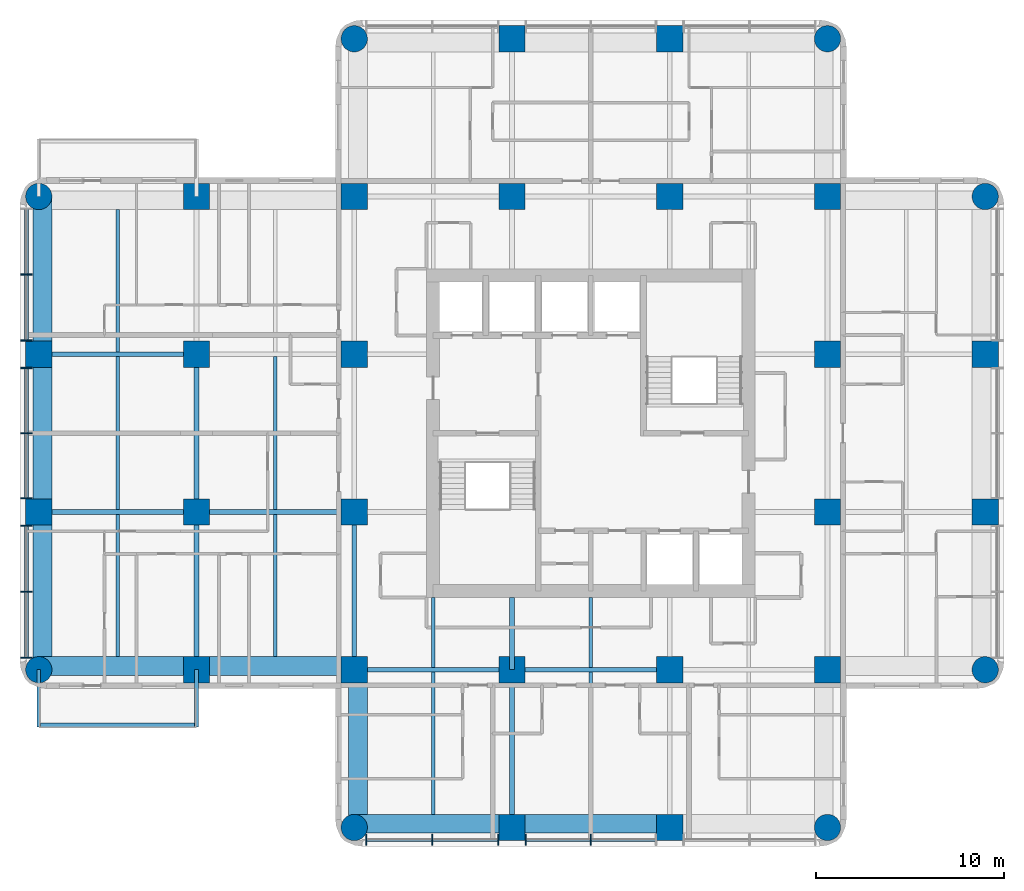
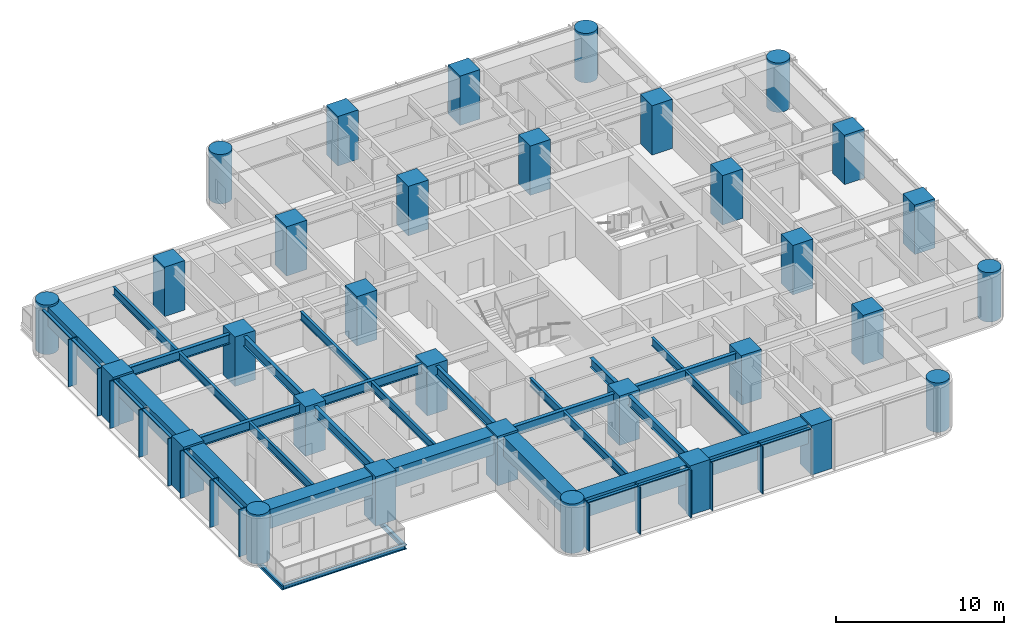
# One storey, part 1 of 11: 32 columns, 30 beams, 23 members, 2 elements without a shape of their own.
"""IFC4 building model written with IfcOpenShell, lengths in metres."""

from ifc_helpers import new_model, si_unit, direction, frame, origin, origin_2d, place, context, subcontext, project, spatial, rectangle, circle, i_section, extrude, material, material_profile, profile_set, type_object, element, aggregate, save


model = new_model("IFC4")

# Units and contexts
model_context = context("Model", 3, precision=1e-05, world=origin(), true_north=direction((0.0, 1.0)))
body_context = subcontext(model_context, "Body", "Model", "MODEL_VIEW")
ifc_project = project(units=[si_unit("LENGTHUNIT", "METRE"), si_unit("AREAUNIT", "SQUARE_METRE"), si_unit("VOLUMEUNIT", "CUBIC_METRE"), si_unit("PLANEANGLEUNIT", "RADIAN"), si_unit("MASSUNIT", "GRAM", prefix="KILO")], contexts=[model_context])

# Site, building, storey
site_placement = place(None, origin())
site = spatial("IfcSite", under=ifc_project, at=site_placement, CompositionType="ELEMENT")
building_placement = place(site_placement, origin())
building = spatial("IfcBuilding", under=site, at=building_placement, Name="Torre Alcanfor", CompositionType="ELEMENT")
storey_placement = place(building_placement, frame((0.0, 0.0, 233.699951171875)))
storey = spatial("IfcBuildingStorey", under=building, at=storey_placement, Name="L61", CompositionType="ELEMENT", Elevation=233.699951171875)

# Columns
ifc_material_1 = material(Name="Concrete f'c 70 MPa", Category="concrete")
ifc_material_profile_1 = material_profile(ifc_material_1, rectangle(XDim=1.39990234375, YDim=1.39990234375, at=origin_2d()), Name="1400x1400")
ifc_profile_set_1 = profile_set([ifc_material_profile_1], Name="Concrete f'c 70 MPa")
column_type_1 = type_object("IfcColumnType", Name="RC column 1400x1400 f'c70", PredefinedType="COLUMN", material=ifc_profile_set_1)
for number, where, z_axis, x_axis, name in (
    (1, (0.0, 25.199951171875, 0.0), (0.0, 0.0, 1.0), (1.0, 0.0, 0.0), "Column 1/F L61"),
    (2, (0.0, 33.60009765625, 0.0), (0.0, 0.0, 1.0), (1.0, 0.0, 0.0), "Column 1/G L61"),
    (3, (8.39990234375, 16.800048828125, 0.0), (0.0, 0.0, 1.0), (1.0, 0.0, 0.0), "Column 2/E L61"),
    (4, (8.39990234375, 25.199951171875, 0.0), (0.0, 0.0, 1.0), (1.0, 0.0, 0.0), "Column 2/F L61"),
    (5, (8.39990234375, 33.60009765625, 0.0), (0.0, 0.0, 1.0), (1.0, 0.0, 0.0), "Column 2/G L61"),
    (6, (8.39990234375, 42.0, 0.0), (0.0, 0.0, 1.0), (1.0, 0.0, 0.0), "Column 2/H L61"),
    (7, (16.800048828125, 16.800048828125, 0.0), (0.0, 0.0, 1.0), (1.0, 0.0, 0.0), "Column 3/E L61"),
    (8, (16.800048828125, 25.199951171875, 0.0), (0.0, 0.0, 1.0), (1.0, 0.0, 0.0), "Column 3/F L61"),
    (9, (16.800048828125, 33.60009765625, 0.0), (0.0, 0.0, 1.0), (1.0, 0.0, 0.0), "Column 3/G L61"),
    (10, (16.800048828125, 42.0, 0.0), (0.0, 0.0, 1.0), (1.0, 0.0, 0.0), "Column 3/H L61"),
    (11, (25.199951171875, 8.39990234375, 0.0), (0.0, 0.0, 1.0), (1.0, 0.0, 0.0), "Column 4/D L61"),
    (12, (25.199951171875, 16.800048828125, 0.0), (0.0, 0.0, 1.0), (1.0, 0.0, 0.0), "Column 4/E L61"),
    (13, (25.199951171875, 42.0, 0.0), (0.0, 0.0, 1.0), (1.0, 0.0, 0.0), "Column 4/H L61"),
    (14, (25.199951171875, 50.39990234375, 0.0), (0.0, 0.0, 1.0), (1.0, 0.0, 0.0), "Column 4/J L61"),
    (15, (33.60009765625, 8.39990234375, 0.0), (0.0, 0.0, 1.0), (1.0, 0.0, 0.0), "Column 5/D L61"),
    (16, (33.60009765625, 16.800048828125, 0.0), (0.0, 0.0, 1.0), (1.0, 0.0, 0.0), "Column 5/E L61"),
    (17, (33.60009765625, 42.0, 0.0), (0.0, 0.0, 1.0), (1.0, 0.0, 0.0), "Column 5/H L61"),
    (18, (33.60009765625, 50.39990234375, 0.0), (0.0, 0.0, 1.0), (1.0, 0.0, 0.0), "Column 5/J L61"),
    (19, (42.0, 16.800048828125, 0.0), (0.0, 0.0, 1.0), (1.0, 0.0, 0.0), "Column 6/E L61"),
    (20, (42.0, 25.199951171875, 0.0), (0.0, 0.0, 1.0), (1.0, 0.0, 0.0), "Column 6/F L61"),
    (21, (42.0, 33.60009765625, 0.0), (0.0, 0.0, 1.0), (1.0, 0.0, 0.0), "Column 6/G L61"),
    (22, (42.0, 42.0, 0.0), (0.0, 0.0, 1.0), (1.0, 0.0, 0.0), "Column 6/H L61"),
    (23, (50.39990234375, 25.199951171875, 0.0), (0.0, 0.0, 1.0), (1.0, 0.0, 0.0), "Column 7/F L61"),
    (24, (50.39990234375, 33.60009765625, 0.0), (0.0, 0.0, 1.0), (1.0, 0.0, 0.0), "Column 7/G L61"),
):
    element("IfcColumn", number, at=place(storey_placement, frame(where, z_axis=z_axis, x_axis=x_axis)), inside=storey, type_object=column_type_1, Name=name, PredefinedType="COLUMN", context=body_context, shape_type="SweptSolid", body=[
        extrude(rectangle(XDim=1.39990234375, YDim=1.39990234375, at=origin_2d()), origin(), (0.0, 0.0, 1.0), 3.60009765625),
    ])
ifc_material_2 = material(Name="Concrete f'c 70 MPa", Category="concrete")
ifc_material_profile_2 = material_profile(ifc_material_2, circle(Radius=0.699951171875, at=origin_2d()), Name="D1400")
ifc_profile_set_2 = profile_set([ifc_material_profile_2], Name="Concrete f'c 70 MPa")
column_type_2 = type_object("IfcColumnType", Name="RC column D1400 f'c70", PredefinedType="COLUMN", material=ifc_profile_set_2)
for number, where, z_axis, x_axis, name in (
    (25, (0.0, 16.800048828125, 0.0), (0.0, 0.0, 1.0), (1.0, 0.0, 0.0), "Column 1/E L61"),
    (26, (0.0, 42.0, 0.0), (0.0, 0.0, 1.0), (1.0, 0.0, 0.0), "Column 1/H L61"),
    (27, (16.800048828125, 8.39990234375, 0.0), (0.0, 0.0, 1.0), (1.0, 0.0, 0.0), "Column 3/D L61"),
    (28, (16.800048828125, 50.39990234375, 0.0), (0.0, 0.0, 1.0), (1.0, 0.0, 0.0), "Column 3/J L61"),
    (29, (42.0, 8.39990234375, 0.0), (0.0, 0.0, 1.0), (1.0, 0.0, 0.0), "Column 6/D L61"),
    (30, (42.0, 50.39990234375, 0.0), (0.0, 0.0, 1.0), (1.0, 0.0, 0.0), "Column 6/J L61"),
    (31, (50.39990234375, 16.800048828125, 0.0), (0.0, 0.0, 1.0), (1.0, 0.0, 0.0), "Column 7/E L61"),
    (32, (50.39990234375, 42.0, 0.0), (0.0, 0.0, 1.0), (1.0, 0.0, 0.0), "Column 7/H L61"),
):
    element("IfcColumn", number, at=place(storey_placement, frame(where, z_axis=z_axis, x_axis=x_axis)), inside=storey, type_object=column_type_2, Name=name, PredefinedType="COLUMN", context=body_context, shape_type="SweptSolid", body=[
        extrude(circle(Radius=0.699951171875, at=origin_2d()), origin(), (0.0, 0.0, 1.0), 3.60009765625),
    ])

# Beams
ifc_material_3 = material(Name="Steel ASTM A992 Grade 50", Category="steel")
ifc_material_profile_3 = material_profile(ifc_material_3, i_section(OverallWidth=0.205322265625, OverallDepth=0.309814453125, WebThickness=0.00927734375, FlangeThickness=0.016357421875, at=origin_2d()), Name="W12x50")
ifc_profile_set_3 = profile_set([ifc_material_profile_3], Name="Steel ASTM A992 Grade 50")
beam_type_1 = type_object("IfcBeamType", Name="Balcony cantilever beam W12x50", PredefinedType="BEAM", material=ifc_profile_set_3)
for number, where, z_axis, x_axis, name in (
    (33, (8.39990234375, 16.800048828125, -0.35498046875), (0.0, -1.0, 0.0), (1.0, 0.0, 0.0), "Balcony cantilever beam L61-W1 1"),
    (34, (0.0, 16.800048828125, -0.35498046875), (0.0, -1.0, 0.0), (1.0, 0.0, 0.0), "Balcony cantilever beam L61-W1 2"),
):
    element("IfcBeam", number, at=place(storey_placement, frame(where, z_axis=z_axis, x_axis=x_axis)), inside=storey, type_object=beam_type_1, Name=name, PredefinedType="BEAM", context=body_context, shape_type="SweptSolid", body=[
        extrude(i_section(OverallWidth=0.205322265625, OverallDepth=0.309814453125, WebThickness=0.00927734375, FlangeThickness=0.016357421875, at=origin_2d()), origin(), (0.0, 0.0, 1.0), 3.050048828125),
    ])
ifc_material_4 = material(Name="Steel ASTM A992 Grade 50", Category="steel")
ifc_material_profile_4 = material_profile(ifc_material_4, i_section(OverallWidth=0.203369140625, OverallDepth=0.30224609375, WebThickness=0.007568359375, FlangeThickness=0.01318359375, at=origin_2d()), Name="W12x40")
ifc_profile_set_4 = profile_set([ifc_material_profile_4], Name="Steel ASTM A992 Grade 50")
beam_type_2 = type_object("IfcBeamType", Name="Balcony edge trimmer W12x40", PredefinedType="BEAM", material=ifc_profile_set_4)
beam_1_placement = place(storey_placement, frame((8.39990234375, 13.851806640625, -0.35107421875), z_axis=(-1.0, 0.0, 0.0), x_axis=(0.0, -1.0, 0.0)))
element("IfcBeam", 35, at=beam_1_placement, inside=storey, type_object=beam_type_2, Name="Balcony edge trimmer L61-W1", PredefinedType="BEAM", context=body_context, shape_type="SweptSolid", body=[
    extrude(i_section(OverallWidth=0.203369140625, OverallDepth=0.30224609375, WebThickness=0.007568359375, FlangeThickness=0.01318359375, at=origin_2d()), origin(), (0.0, 0.0, 1.0), 8.39990234375),
])

# Curtain wall, members
ifc_material_5 = material(Name="Aluminium and glass", Category="aluminium")
curtain_wall_type = type_object("IfcCurtainWallType", Name="CW-A unitised apartment glazing with vertical FIN", PredefinedType="NOTDEFINED", material=ifc_material_5)
curtain_wall_1_placement = place(storey_placement, origin())
curtain_wall_1 = element("IfcCurtainWall", 36, at=curtain_wall_1_placement, inside=storey, type_object=curtain_wall_type, Name="Curtain wall CW-A L61 2", PredefinedType="NOTDEFINED")
ifc_material_6 = material(Name="Bronze anodised aluminium", Category="aluminium")
ifc_material_profile_5 = material_profile(ifc_material_6, rectangle(XDim=0.60009765625, YDim=0.06494140625, at=origin_2d()), Name="CW-A mullion 65x600")
ifc_profile_set_5 = profile_set([ifc_material_profile_5], Name="Bronze anodised aluminium")
member_type_1 = type_object("IfcMemberType", Name="CW-A mullion with vertical FIN 65x600", PredefinedType="MULLION", material=ifc_profile_set_5)
member_1_placement = place(storey_placement, frame((-0.64990234375, 37.846435546875, 0.0), z_axis=(0.0, 0.0, 1.0), x_axis=(1.0, 0.0, 0.0)))
member_1 = element("IfcMember", 37, at=member_1_placement, type_object=member_type_1, Name="CW-A mullion 1.2", PredefinedType="MULLION", context=body_context, shape_type="SweptSolid", body=[
    extrude(rectangle(XDim=0.60009765625, YDim=0.06494140625, at=origin_2d()), origin(), (0.0, 0.0, 1.0), 3.449951171875),
])
member_2_placement = place(storey_placement, frame((-0.64990234375, 34.33740234375, 0.0), z_axis=(0.0, 0.0, 1.0), x_axis=(1.0, 0.0, 0.0)))
member_2 = element("IfcMember", 38, at=member_2_placement, type_object=member_type_1, Name="CW-A mullion 1.3", PredefinedType="MULLION", context=body_context, shape_type="SweptSolid", body=[
    extrude(rectangle(XDim=0.60009765625, YDim=0.06494140625, at=origin_2d()), origin(), (0.0, 0.0, 1.0), 3.449951171875),
])
member_3_placement = place(storey_placement, frame((-0.64990234375, 32.862548828125, 0.0), z_axis=(0.0, 0.0, 1.0), x_axis=(1.0, 0.0, 0.0)))
member_3 = element("IfcMember", 39, at=member_3_placement, type_object=member_type_1, Name="CW-A mullion 2.1", PredefinedType="MULLION", context=body_context, shape_type="SweptSolid", body=[
    extrude(rectangle(XDim=0.60009765625, YDim=0.06494140625, at=origin_2d()), origin(), (0.0, 0.0, 1.0), 3.449951171875),
])
member_4_placement = place(storey_placement, frame((-0.64990234375, 29.39990234375, 0.0), z_axis=(0.0, 0.0, 1.0), x_axis=(1.0, 0.0, 0.0)))
member_4 = element("IfcMember", 40, at=member_4_placement, type_object=member_type_1, Name="CW-A mullion 2.2", PredefinedType="MULLION", context=body_context, shape_type="SweptSolid", body=[
    extrude(rectangle(XDim=0.60009765625, YDim=0.06494140625, at=origin_2d()), origin(), (0.0, 0.0, 1.0), 3.449951171875),
])
member_5_placement = place(storey_placement, frame((-0.64990234375, 25.9375, 0.0), z_axis=(0.0, 0.0, 1.0), x_axis=(1.0, 0.0, 0.0)))
member_5 = element("IfcMember", 41, at=member_5_placement, type_object=member_type_1, Name="CW-A mullion 2.3", PredefinedType="MULLION", context=body_context, shape_type="SweptSolid", body=[
    extrude(rectangle(XDim=0.60009765625, YDim=0.06494140625, at=origin_2d()), origin(), (0.0, 0.0, 1.0), 3.449951171875),
])
member_6_placement = place(storey_placement, frame((-0.64990234375, 24.46240234375, 0.0), z_axis=(0.0, 0.0, 1.0), x_axis=(1.0, 0.0, 0.0)))
member_6 = element("IfcMember", 42, at=member_6_placement, type_object=member_type_1, Name="CW-A mullion 3.1", PredefinedType="MULLION", context=body_context, shape_type="SweptSolid", body=[
    extrude(rectangle(XDim=0.60009765625, YDim=0.06494140625, at=origin_2d()), origin(), (0.0, 0.0, 1.0), 3.449951171875),
])
member_7_placement = place(storey_placement, frame((-0.64990234375, 20.95361328125, 0.0), z_axis=(0.0, 0.0, 1.0), x_axis=(1.0, 0.0, 0.0)))
member_7 = element("IfcMember", 43, at=member_7_placement, type_object=member_type_1, Name="CW-A mullion 3.2", PredefinedType="MULLION", context=body_context, shape_type="SweptSolid", body=[
    extrude(rectangle(XDim=0.60009765625, YDim=0.06494140625, at=origin_2d()), origin(), (0.0, 0.0, 1.0), 3.449951171875),
])
member_8_placement = place(storey_placement, frame((-0.64990234375, 17.444580078125, 0.0), z_axis=(0.0, 0.0, 1.0), x_axis=(1.0, 0.0, 0.0)))
member_8 = element("IfcMember", 44, at=member_8_placement, type_object=member_type_1, Name="CW-A mullion 3.3", PredefinedType="MULLION", context=body_context, shape_type="SweptSolid", body=[
    extrude(rectangle(XDim=0.60009765625, YDim=0.06494140625, at=origin_2d()), origin(), (0.0, 0.0, 1.0), 3.449951171875),
])

curtain_wall_2_placement = place(storey_placement, origin())
curtain_wall_2 = element("IfcCurtainWall", 45, at=curtain_wall_2_placement, inside=storey, type_object=curtain_wall_type, Name="Curtain wall CW-A L61 5", PredefinedType="NOTDEFINED")
member_9_placement = place(storey_placement, frame((17.444580078125, 7.75, 0.0), z_axis=(0.0, 0.0, 1.0), x_axis=(0.0, 1.0, 0.0)))
member_9 = element("IfcMember", 46, at=member_9_placement, type_object=member_type_1, Name="CW-A mullion 1.1", PredefinedType="MULLION", context=body_context, shape_type="SweptSolid", body=[
    extrude(rectangle(XDim=0.60009765625, YDim=0.06494140625, at=origin_2d()), origin(), (0.0, 0.0, 1.0), 3.449951171875),
])
member_10_placement = place(storey_placement, frame((20.95361328125, 7.75, 0.0), z_axis=(0.0, 0.0, 1.0), x_axis=(0.0, 1.0, 0.0)))
member_10 = element("IfcMember", 47, at=member_10_placement, type_object=member_type_1, Name="CW-A mullion 1.2", PredefinedType="MULLION", context=body_context, shape_type="SweptSolid", body=[
    extrude(rectangle(XDim=0.60009765625, YDim=0.06494140625, at=origin_2d()), origin(), (0.0, 0.0, 1.0), 3.449951171875),
])
member_11_placement = place(storey_placement, frame((24.46240234375, 7.75, 0.0), z_axis=(0.0, 0.0, 1.0), x_axis=(0.0, 1.0, 0.0)))
member_11 = element("IfcMember", 48, at=member_11_placement, type_object=member_type_1, Name="CW-A mullion 1.3", PredefinedType="MULLION", context=body_context, shape_type="SweptSolid", body=[
    extrude(rectangle(XDim=0.60009765625, YDim=0.06494140625, at=origin_2d()), origin(), (0.0, 0.0, 1.0), 3.449951171875),
])
member_12_placement = place(storey_placement, frame((25.9375, 7.75, 0.0), z_axis=(0.0, 0.0, 1.0), x_axis=(0.0, 1.0, 0.0)))
member_12 = element("IfcMember", 49, at=member_12_placement, type_object=member_type_1, Name="CW-A mullion 2.1", PredefinedType="MULLION", context=body_context, shape_type="SweptSolid", body=[
    extrude(rectangle(XDim=0.60009765625, YDim=0.06494140625, at=origin_2d()), origin(), (0.0, 0.0, 1.0), 3.449951171875),
])
member_13_placement = place(storey_placement, frame((29.39990234375, 7.75, 0.0), z_axis=(0.0, 0.0, 1.0), x_axis=(0.0, 1.0, 0.0)))
member_13 = element("IfcMember", 50, at=member_13_placement, type_object=member_type_1, Name="CW-A mullion 2.2", PredefinedType="MULLION", context=body_context, shape_type="SweptSolid", body=[
    extrude(rectangle(XDim=0.60009765625, YDim=0.06494140625, at=origin_2d()), origin(), (0.0, 0.0, 1.0), 3.449951171875),
])

# Member
ifc_material_7 = material(Name="Extruded aluminium", Category="aluminium")
ifc_material_profile_6 = material_profile(ifc_material_7, rectangle(XDim=0.199951171875, YDim=0.06494140625, at=origin_2d()), Name="CW-A transom 200x65")
ifc_profile_set_6 = profile_set([ifc_material_profile_6], Name="Extruded aluminium")
member_type_2 = type_object("IfcMemberType", Name="CW-A transom 65x200", PredefinedType="USERDEFINED", material=ifc_profile_set_6)
member_14_placement = place(storey_placement, frame((-0.64990234375, 41.322998046875, 3.41748046875), z_axis=(0.0, -1.0, 0.0), x_axis=(1.0, 0.0, 0.0)))
member_14 = element("IfcMember", 51, at=member_14_placement, type_object=member_type_2, Name="CW-A transom 1.1.2", ObjectType="TRANSOM", PredefinedType="USERDEFINED", context=body_context, shape_type="SweptSolid", body=[
    extrude(rectangle(XDim=0.199951171875, YDim=0.06494140625, at=origin_2d()), origin(), (0.0, 0.0, 1.0), 3.444091796875),
])

member_15_placement = place(storey_placement, frame((-0.64990234375, 37.81396484375, 3.41748046875), z_axis=(0.0, -1.0, 0.0), x_axis=(1.0, 0.0, 0.0)))
member_15 = element("IfcMember", 52, at=member_15_placement, type_object=member_type_2, Name="CW-A transom 1.2.2", ObjectType="TRANSOM", PredefinedType="USERDEFINED", context=body_context, shape_type="SweptSolid", body=[
    extrude(rectangle(XDim=0.199951171875, YDim=0.06494140625, at=origin_2d()), origin(), (0.0, 0.0, 1.0), 3.44384765625),
])

member_16_placement = place(storey_placement, frame((-0.64990234375, 32.830078125, 3.41748046875), z_axis=(0.0, -1.0, 0.0), x_axis=(1.0, 0.0, 0.0)))
member_16 = element("IfcMember", 53, at=member_16_placement, type_object=member_type_2, Name="CW-A transom 2.1.2", ObjectType="TRANSOM", PredefinedType="USERDEFINED", context=body_context, shape_type="SweptSolid", body=[
    extrude(rectangle(XDim=0.199951171875, YDim=0.06494140625, at=origin_2d()), origin(), (0.0, 0.0, 1.0), 3.3974609375),
])

member_17_placement = place(storey_placement, frame((-0.64990234375, 29.367431640625, 3.41748046875), z_axis=(0.0, -1.0, 0.0), x_axis=(1.0, 0.0, 0.0)))
member_17 = element("IfcMember", 54, at=member_17_placement, type_object=member_type_2, Name="CW-A transom 2.2.2", ObjectType="TRANSOM", PredefinedType="USERDEFINED", context=body_context, shape_type="SweptSolid", body=[
    extrude(rectangle(XDim=0.199951171875, YDim=0.06494140625, at=origin_2d()), origin(), (0.0, 0.0, 1.0), 3.3974609375),
])

member_18_placement = place(storey_placement, frame((-0.64990234375, 24.429931640625, 3.41748046875), z_axis=(0.0, -1.0, 0.0), x_axis=(1.0, 0.0, 0.0)))
member_18 = element("IfcMember", 55, at=member_18_placement, type_object=member_type_2, Name="CW-A transom 3.1.2", ObjectType="TRANSOM", PredefinedType="USERDEFINED", context=body_context, shape_type="SweptSolid", body=[
    extrude(rectangle(XDim=0.199951171875, YDim=0.06494140625, at=origin_2d()), origin(), (0.0, 0.0, 1.0), 3.44384765625),
])

member_19_placement = place(storey_placement, frame((-0.64990234375, 20.9208984375, 3.41748046875), z_axis=(0.0, -1.0, 0.0), x_axis=(1.0, 0.0, 0.0)))
member_19 = element("IfcMember", 56, at=member_19_placement, type_object=member_type_2, Name="CW-A transom 3.2.2", ObjectType="TRANSOM", PredefinedType="USERDEFINED", context=body_context, shape_type="SweptSolid", body=[
    extrude(rectangle(XDim=0.199951171875, YDim=0.06494140625, at=origin_2d()), origin(), (0.0, 0.0, 1.0), 3.44384765625),
])

aggregate(curtain_wall_1, [member_1, member_2, member_14, member_15, member_3, member_4, member_5, member_16, member_17, member_6, member_7, member_8, member_18, member_19])

member_20_placement = place(storey_placement, frame((17.47705078125, 7.75, 3.41748046875), z_axis=(1.0, 0.0, 0.0), x_axis=(0.0, 1.0, 0.0)))
member_20 = element("IfcMember", 57, at=member_20_placement, type_object=member_type_2, Name="CW-A transom 1.1.2", ObjectType="TRANSOM", PredefinedType="USERDEFINED", context=body_context, shape_type="SweptSolid", body=[
    extrude(rectangle(XDim=0.199951171875, YDim=0.06494140625, at=origin_2d()), origin(), (0.0, 0.0, 1.0), 3.44384765625),
])

member_21_placement = place(storey_placement, frame((20.986083984375, 7.75, 3.41748046875), z_axis=(1.0, 0.0, 0.0), x_axis=(0.0, 1.0, 0.0)))
member_21 = element("IfcMember", 58, at=member_21_placement, type_object=member_type_2, Name="CW-A transom 1.2.2", ObjectType="TRANSOM", PredefinedType="USERDEFINED", context=body_context, shape_type="SweptSolid", body=[
    extrude(rectangle(XDim=0.199951171875, YDim=0.06494140625, at=origin_2d()), origin(), (0.0, 0.0, 1.0), 3.44384765625),
])

member_22_placement = place(storey_placement, frame((25.969970703125, 7.75, 3.41748046875), z_axis=(1.0, 0.0, 0.0), x_axis=(0.0, 1.0, 0.0)))
member_22 = element("IfcMember", 59, at=member_22_placement, type_object=member_type_2, Name="CW-A transom 2.1.2", ObjectType="TRANSOM", PredefinedType="USERDEFINED", context=body_context, shape_type="SweptSolid", body=[
    extrude(rectangle(XDim=0.199951171875, YDim=0.06494140625, at=origin_2d()), origin(), (0.0, 0.0, 1.0), 3.3974609375),
])

member_23_placement = place(storey_placement, frame((29.4326171875, 7.75, 3.41748046875), z_axis=(1.0, 0.0, 0.0), x_axis=(0.0, 1.0, 0.0)))
member_23 = element("IfcMember", 60, at=member_23_placement, type_object=member_type_2, Name="CW-A transom 2.2.2", ObjectType="TRANSOM", PredefinedType="USERDEFINED", context=body_context, shape_type="SweptSolid", body=[
    extrude(rectangle(XDim=0.199951171875, YDim=0.06494140625, at=origin_2d()), origin(), (0.0, 0.0, 1.0), 3.3974609375),
])

aggregate(curtain_wall_2, [member_9, member_10, member_11, member_20, member_21, member_12, member_13, member_22, member_23])

# Beams
ifc_material_8 = material(Name="Steel ASTM A992 Grade 50", Category="steel")
ifc_material_profile_7 = material_profile(ifc_material_8, i_section(OverallWidth=0.25390625, OverallDepth=0.683349609375, WebThickness=0.012451171875, FlangeThickness=0.01904296875, at=origin_2d()), Name="W27x94")
ifc_profile_set_7 = profile_set([ifc_material_profile_7], Name="Steel ASTM A992 Grade 50")
beam_type_3 = type_object("IfcBeamType", Name="Girder W27x94", PredefinedType="BEAM", material=ifc_profile_set_7)
beam_2_placement = place(storey_placement, frame((16.800048828125, 16.800048828125, 3.1083984375), z_axis=(1.0, 0.0, 0.0), x_axis=(0.0, 1.0, 0.0)))
element("IfcBeam", 61, at=beam_2_placement, inside=storey, type_object=beam_type_3, Name="Beam 3E-4E under L62", PredefinedType="BEAM", context=body_context, shape_type="SweptSolid", body=[
    extrude(i_section(OverallWidth=0.25390625, OverallDepth=0.683349609375, WebThickness=0.012451171875, FlangeThickness=0.01904296875, at=origin_2d()), origin(), (0.0, 0.0, 1.0), 8.39990234375),
])
beam_3_placement = place(storey_placement, frame((25.199951171875, 16.800048828125, 3.1083984375), z_axis=(1.0, 0.0, 0.0), x_axis=(0.0, 1.0, 0.0)))
element("IfcBeam", 62, at=beam_3_placement, inside=storey, type_object=beam_type_3, Name="Beam 4E-5E under L62", PredefinedType="BEAM", context=body_context, shape_type="SweptSolid", body=[
    extrude(i_section(OverallWidth=0.25390625, OverallDepth=0.683349609375, WebThickness=0.012451171875, FlangeThickness=0.01904296875, at=origin_2d()), origin(), (0.0, 0.0, 1.0), 8.400146484375),
])
beam_4_placement = place(storey_placement, frame((0.0, 25.199951171875, 3.1083984375), z_axis=(1.0, 0.0, 0.0), x_axis=(0.0, 1.0, 0.0)))
element("IfcBeam", 63, at=beam_4_placement, inside=storey, type_object=beam_type_3, Name="Beam 1F-2F under L62", PredefinedType="BEAM", context=body_context, shape_type="SweptSolid", body=[
    extrude(i_section(OverallWidth=0.25390625, OverallDepth=0.683349609375, WebThickness=0.012451171875, FlangeThickness=0.01904296875, at=origin_2d()), origin(), (0.0, 0.0, 1.0), 8.39990234375),
])
beam_5_placement = place(storey_placement, frame((8.39990234375, 25.199951171875, 3.1083984375), z_axis=(1.0, 0.0, 0.0), x_axis=(0.0, 1.0, 0.0)))
element("IfcBeam", 64, at=beam_5_placement, inside=storey, type_object=beam_type_3, Name="Beam 2F-3F under L62", PredefinedType="BEAM", context=body_context, shape_type="SweptSolid", body=[
    extrude(i_section(OverallWidth=0.25390625, OverallDepth=0.683349609375, WebThickness=0.012451171875, FlangeThickness=0.01904296875, at=origin_2d()), origin(), (0.0, 0.0, 1.0), 8.400146484375),
])
for number, where, z_axis, x_axis, name in (
    (65, (0.0, 33.60009765625, 3.1083984375), (1.0, 0.0, 0.0), (0.0, 1.0, 0.0), "Beam 1G-2G under L62"),
    (66, (8.39990234375, 16.800048828125, 3.1083984375), (0.0, 1.0, 0.0), (-1.0, 0.0, 0.0), "Beam 2E-2F under L62"),
):
    element("IfcBeam", number, at=place(storey_placement, frame(where, z_axis=z_axis, x_axis=x_axis)), inside=storey, type_object=beam_type_3, Name=name, PredefinedType="BEAM", context=body_context, shape_type="SweptSolid", body=[
        extrude(i_section(OverallWidth=0.25390625, OverallDepth=0.683349609375, WebThickness=0.012451171875, FlangeThickness=0.01904296875, at=origin_2d()), origin(), (0.0, 0.0, 1.0), 8.39990234375),
    ])
beam_6_placement = place(storey_placement, frame((8.39990234375, 25.199951171875, 3.1083984375), z_axis=(0.0, 1.0, 0.0), x_axis=(-1.0, 0.0, 0.0)))
element("IfcBeam", 67, at=beam_6_placement, inside=storey, type_object=beam_type_3, Name="Beam 2F-2G under L62", PredefinedType="BEAM", context=body_context, shape_type="SweptSolid", body=[
    extrude(i_section(OverallWidth=0.25390625, OverallDepth=0.683349609375, WebThickness=0.012451171875, FlangeThickness=0.01904296875, at=origin_2d()), origin(), (0.0, 0.0, 1.0), 8.400146484375),
])
beam_7_placement = place(storey_placement, frame((16.800048828125, 16.800048828125, 3.1083984375), z_axis=(0.0, 1.0, 0.0), x_axis=(-1.0, 0.0, 0.0)))
element("IfcBeam", 68, at=beam_7_placement, inside=storey, type_object=beam_type_3, Name="Beam 3E-3F under L62", PredefinedType="BEAM", context=body_context, shape_type="SweptSolid", body=[
    extrude(i_section(OverallWidth=0.25390625, OverallDepth=0.683349609375, WebThickness=0.012451171875, FlangeThickness=0.01904296875, at=origin_2d()), origin(), (0.0, 0.0, 1.0), 8.39990234375),
])
beam_8_placement = place(storey_placement, frame((25.199951171875, 8.39990234375, 3.1083984375), z_axis=(0.0, 1.0, 0.0), x_axis=(-1.0, 0.0, 0.0)))
element("IfcBeam", 69, at=beam_8_placement, inside=storey, type_object=beam_type_3, Name="Beam 4D-4E under L62", PredefinedType="BEAM", context=body_context, shape_type="SweptSolid", body=[
    extrude(i_section(OverallWidth=0.25390625, OverallDepth=0.683349609375, WebThickness=0.012451171875, FlangeThickness=0.01904296875, at=origin_2d()), origin(), (0.0, 0.0, 1.0), 8.400146484375),
])
ifc_material_9 = material(Name="Steel ASTM A992 Grade 50", Category="steel")
ifc_material_profile_8 = material_profile(ifc_material_9, i_section(OverallWidth=0.25390625, OverallDepth=0.683349609375, WebThickness=0.012451171875, FlangeThickness=0.01904296875, at=origin_2d()), Name="W27x94")
ifc_profile_set_8 = profile_set([ifc_material_profile_8], Name="Steel ASTM A992 Grade 50")
beam_type_4 = type_object("IfcBeamType", Name="Girder, part bay W27x94", PredefinedType="BEAM", material=ifc_profile_set_8)
beam_9_placement = place(storey_placement, frame((25.199951171875, 16.800048828125, 3.1083984375), z_axis=(0.0, 1.0, 0.0), x_axis=(-1.0, 0.0, 0.0)))
element("IfcBeam", 70, at=beam_9_placement, inside=storey, type_object=beam_type_4, Name="Beam 4E-420_65 under L62", PredefinedType="BEAM", context=body_context, shape_type="SweptSolid", body=[
    extrude(i_section(OverallWidth=0.25390625, OverallDepth=0.683349609375, WebThickness=0.012451171875, FlangeThickness=0.01904296875, at=origin_2d()), origin(), (0.0, 0.0, 1.0), 3.849853515625),
])
ifc_material_10 = material(Name="Concrete f'c 70 MPa", Category="concrete")
ifc_material_profile_9 = material_profile(ifc_material_10, rectangle(XDim=1.0, YDim=1.39990234375, at=origin_2d()), Name="1000x1400")
ifc_profile_set_9 = profile_set([ifc_material_profile_9], Name="Concrete f'c 70 MPa")
beam_type_5 = type_object("IfcBeamType", Name="RC perimeter beam 1000x1400", PredefinedType="BEAM", material=ifc_profile_set_9)
beam_10_placement = place(storey_placement, frame((16.800048828125, 8.60009765625, 2.75), z_axis=(1.0, 0.0, 0.0), x_axis=(0.0, 1.0, 0.0)))
element("IfcBeam", 71, at=beam_10_placement, inside=storey, type_object=beam_type_5, Name="Beam 3D-4D under L62", PredefinedType="BEAM", context=body_context, shape_type="SweptSolid", body=[
    extrude(rectangle(XDim=1.0, YDim=1.39990234375, at=origin_2d()), origin(), (0.0, 0.0, 1.0), 8.27294921875),
])
beam_11_placement = place(storey_placement, frame((25.326904296875, 8.60009765625, 2.75), z_axis=(1.0, 0.0, 0.0), x_axis=(0.0, 1.0, 0.0)))
element("IfcBeam", 72, at=beam_11_placement, inside=storey, type_object=beam_type_5, Name="Beam 4D-5D under L62", PredefinedType="BEAM", context=body_context, shape_type="SweptSolid", body=[
    extrude(rectangle(XDim=1.0, YDim=1.39990234375, at=origin_2d()), origin(), (0.0, 0.0, 1.0), 8.14599609375),
])
beam_12_placement = place(storey_placement, frame((0.0, 17.0, 2.75), z_axis=(1.0, 0.0, 0.0), x_axis=(0.0, 1.0, 0.0)))
element("IfcBeam", 73, at=beam_12_placement, inside=storey, type_object=beam_type_5, Name="Beam 1E-2E under L62", PredefinedType="BEAM", context=body_context, shape_type="SweptSolid", body=[
    extrude(rectangle(XDim=1.0, YDim=1.39990234375, at=origin_2d()), origin(), (0.0, 0.0, 1.0), 8.27294921875),
])
beam_13_placement = place(storey_placement, frame((8.527099609375, 17.0, 2.75), z_axis=(1.0, 0.0, 0.0), x_axis=(0.0, 1.0, 0.0)))
element("IfcBeam", 74, at=beam_13_placement, inside=storey, type_object=beam_type_5, Name="Beam 2E-3E under L62", PredefinedType="BEAM", context=body_context, shape_type="SweptSolid", body=[
    extrude(rectangle(XDim=1.0, YDim=1.39990234375, at=origin_2d()), origin(), (0.0, 0.0, 1.0), 8.14599609375),
])
beam_14_placement = place(storey_placement, frame((0.199951171875, 16.800048828125, 2.75), z_axis=(0.0, 1.0, 0.0), x_axis=(-1.0, 0.0, 0.0)))
element("IfcBeam", 75, at=beam_14_placement, inside=storey, type_object=beam_type_5, Name="Beam 1E-1F under L62", PredefinedType="BEAM", context=body_context, shape_type="SweptSolid", body=[
    extrude(rectangle(XDim=1.0, YDim=1.39990234375, at=origin_2d()), origin(), (0.0, 0.0, 1.0), 8.27294921875),
])
beam_15_placement = place(storey_placement, frame((0.199951171875, 25.326904296875, 2.75), z_axis=(0.0, 1.0, 0.0), x_axis=(-1.0, 0.0, 0.0)))
element("IfcBeam", 76, at=beam_15_placement, inside=storey, type_object=beam_type_5, Name="Beam 1F-1G under L62", PredefinedType="BEAM", context=body_context, shape_type="SweptSolid", body=[
    extrude(rectangle(XDim=1.0, YDim=1.39990234375, at=origin_2d()), origin(), (0.0, 0.0, 1.0), 8.14599609375),
])
beam_16_placement = place(storey_placement, frame((0.199951171875, 33.72705078125, 2.75), z_axis=(0.0, 1.0, 0.0), x_axis=(-1.0, 0.0, 0.0)))
element("IfcBeam", 77, at=beam_16_placement, inside=storey, type_object=beam_type_5, Name="Beam 1G-1H under L62", PredefinedType="BEAM", context=body_context, shape_type="SweptSolid", body=[
    extrude(rectangle(XDim=1.0, YDim=1.39990234375, at=origin_2d()), origin(), (0.0, 0.0, 1.0), 8.27294921875),
])
beam_17_placement = place(storey_placement, frame((17.0, 8.39990234375, 2.75), z_axis=(0.0, 1.0, 0.0), x_axis=(-1.0, 0.0, 0.0)))
element("IfcBeam", 78, at=beam_17_placement, inside=storey, type_object=beam_type_5, Name="Beam 3D-3E under L62", PredefinedType="BEAM", context=body_context, shape_type="SweptSolid", body=[
    extrude(rectangle(XDim=1.0, YDim=1.39990234375, at=origin_2d()), origin(), (0.0, 0.0, 1.0), 8.273193359375),
])
ifc_material_11 = material(Name="Steel ASTM A992 Grade 50", Category="steel")
ifc_material_profile_10 = material_profile(ifc_material_11, i_section(OverallWidth=0.1787109375, OverallDepth=0.60205078125, WebThickness=0.010986328125, FlangeThickness=0.014892578125, at=origin_2d()), Name="W24x62")
ifc_profile_set_10 = profile_set([ifc_material_profile_10], Name="Steel ASTM A992 Grade 50")
beam_type_6 = type_object("IfcBeamType", Name="Secondary beam W24x62", PredefinedType="BEAM", material=ifc_profile_set_10)
beam_18_placement = place(storey_placement, frame((4.199951171875, 17.5, 3.149169921875), z_axis=(0.0, 1.0, 0.0), x_axis=(-1.0, 0.0, 0.0)))
element("IfcBeam", 79, at=beam_18_placement, inside=storey, type_object=beam_type_6, Name="Beam 4_2E-4_2F under L62", PredefinedType="BEAM", context=body_context, shape_type="SweptSolid", body=[
    extrude(i_section(OverallWidth=0.1787109375, OverallDepth=0.60205078125, WebThickness=0.010986328125, FlangeThickness=0.014892578125, at=origin_2d()), origin(), (0.0, 0.0, 1.0), 7.572998046875),
])
beam_19_placement = place(storey_placement, frame((4.199951171875, 25.326904296875, 3.149169921875), z_axis=(0.0, 1.0, 0.0), x_axis=(-1.0, 0.0, 0.0)))
element("IfcBeam", 80, at=beam_19_placement, inside=storey, type_object=beam_type_6, Name="Beam 4_2F-4_2G under L62", PredefinedType="BEAM", context=body_context, shape_type="SweptSolid", body=[
    extrude(i_section(OverallWidth=0.1787109375, OverallDepth=0.60205078125, WebThickness=0.010986328125, FlangeThickness=0.014892578125, at=origin_2d()), origin(), (0.0, 0.0, 1.0), 8.14599609375),
])
for number, where, z_axis, x_axis, name in (
    (81, (4.199951171875, 33.72705078125, 3.149169921875), (0.0, 1.0, 0.0), (-1.0, 0.0, 0.0), "Beam 4_2G-4_2H under L62"),
    (82, (12.60009765625, 17.5, 3.149169921875), (0.0, 1.0, 0.0), (-1.0, 0.0, 0.0), "Beam 12_6E-12_6F under L62"),
):
    element("IfcBeam", number, at=place(storey_placement, frame(where, z_axis=z_axis, x_axis=x_axis)), inside=storey, type_object=beam_type_6, Name=name, PredefinedType="BEAM", context=body_context, shape_type="SweptSolid", body=[
        extrude(i_section(OverallWidth=0.1787109375, OverallDepth=0.60205078125, WebThickness=0.010986328125, FlangeThickness=0.014892578125, at=origin_2d()), origin(), (0.0, 0.0, 1.0), 7.572998046875),
    ])
beam_20_placement = place(storey_placement, frame((12.60009765625, 25.326904296875, 3.149169921875), z_axis=(0.0, 1.0, 0.0), x_axis=(-1.0, 0.0, 0.0)))
element("IfcBeam", 83, at=beam_20_placement, inside=storey, type_object=beam_type_6, Name="Beam 12_6F-12_6G under L62", PredefinedType="BEAM", context=body_context, shape_type="SweptSolid", body=[
    extrude(i_section(OverallWidth=0.1787109375, OverallDepth=0.60205078125, WebThickness=0.010986328125, FlangeThickness=0.014892578125, at=origin_2d()), origin(), (0.0, 0.0, 1.0), 8.14599609375),
])
for number, where, z_axis, x_axis, name in (
    (84, (21.0, 9.10009765625, 3.149169921875), (0.0, 1.0, 0.0), (-1.0, 0.0, 0.0), "Beam 21D-21E under L62"),
    (85, (29.39990234375, 9.10009765625, 3.149169921875), (0.0, 1.0, 0.0), (-1.0, 0.0, 0.0), "Beam 29_4D-29_4E under L62"),
):
    element("IfcBeam", number, at=place(storey_placement, frame(where, z_axis=z_axis, x_axis=x_axis)), inside=storey, type_object=beam_type_6, Name=name, PredefinedType="BEAM", context=body_context, shape_type="SweptSolid", body=[
        extrude(i_section(OverallWidth=0.1787109375, OverallDepth=0.60205078125, WebThickness=0.010986328125, FlangeThickness=0.014892578125, at=origin_2d()), origin(), (0.0, 0.0, 1.0), 7.572998046875),
    ])
ifc_material_12 = material(Name="Steel ASTM A992 Grade 50", Category="steel")
ifc_material_profile_11 = material_profile(ifc_material_12, i_section(OverallWidth=0.1787109375, OverallDepth=0.60205078125, WebThickness=0.010986328125, FlangeThickness=0.014892578125, at=origin_2d()), Name="W24x62")
ifc_profile_set_11 = profile_set([ifc_material_profile_11], Name="Steel ASTM A992 Grade 50")
beam_type_7 = type_object("IfcBeamType", Name="Secondary beam, part bay W24x62", PredefinedType="BEAM", material=ifc_profile_set_11)
for number, where, z_axis, x_axis, name in (
    (86, (21.0, 16.927001953125, 3.149169921875), (0.0, 1.0, 0.0), (-1.0, 0.0, 0.0), "Beam 21E-2120_65 under L62"),
    (87, (29.39990234375, 16.927001953125, 3.149169921875), (0.0, 1.0, 0.0), (-1.0, 0.0, 0.0), "Beam 29_4E-29_420_65 under L62"),
):
    element("IfcBeam", number, at=place(storey_placement, frame(where, z_axis=z_axis, x_axis=x_axis)), inside=storey, type_object=beam_type_7, Name=name, PredefinedType="BEAM", context=body_context, shape_type="SweptSolid", body=[
        extrude(i_section(OverallWidth=0.1787109375, OverallDepth=0.60205078125, WebThickness=0.010986328125, FlangeThickness=0.014892578125, at=origin_2d()), origin(), (0.0, 0.0, 1.0), 3.722900390625),
    ])

save(model, "model.ifc")
